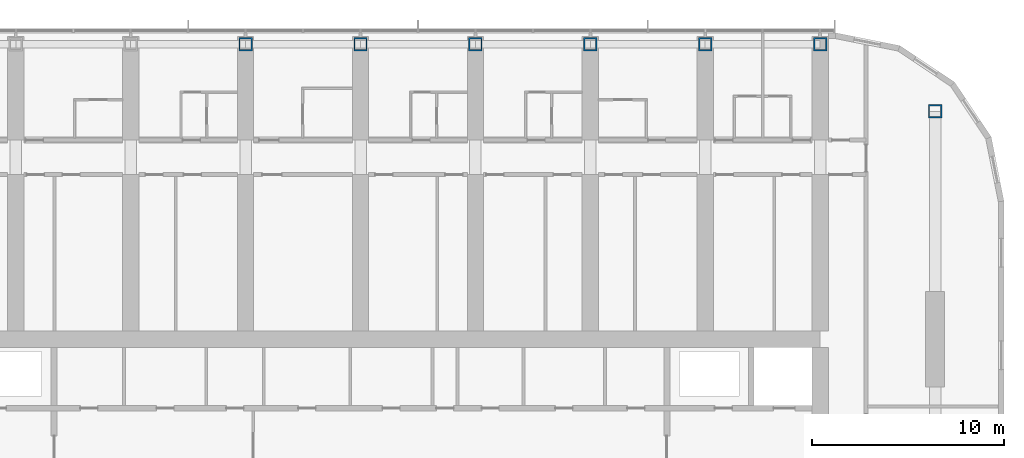
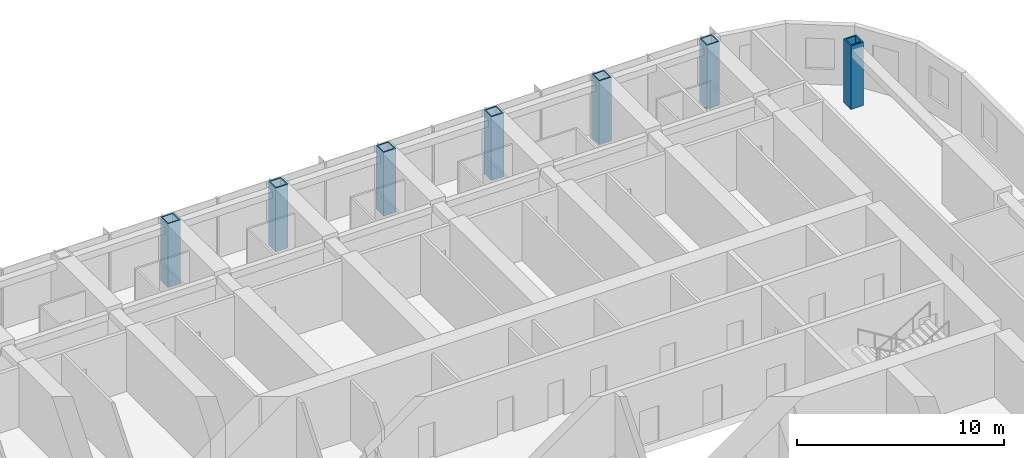
# One storey, part 5 of 29: 7 columns.
"""IFC4 building model written with IfcOpenShell, lengths in metres."""

from ifc_helpers import new_model, si_unit, direction, frame, origin, origin_2d, place, context, subcontext, project, spatial, hollow_rectangle, extrude, material, material_profile, profile_set, type_object, element, save


model = new_model("IFC4")

# Units and contexts
model_context = context("Model", 3, precision=1e-05, world=origin(), true_north=direction((0.0, 1.0)))
body_context = subcontext(model_context, "Body", "Model", "MODEL_VIEW")
ifc_project = project(units=[si_unit("LENGTHUNIT", "METRE"), si_unit("AREAUNIT", "SQUARE_METRE"), si_unit("VOLUMEUNIT", "CUBIC_METRE"), si_unit("PLANEANGLEUNIT", "RADIAN"), si_unit("MASSUNIT", "GRAM", prefix="KILO")], contexts=[model_context])

# Site, building, storey
site_placement = place(None, origin())
site = spatial("IfcSite", under=ifc_project, at=site_placement, CompositionType="ELEMENT")
building_placement = place(site_placement, origin())
building = spatial("IfcBuilding", under=site, at=building_placement, Name="Orbita Commons", CompositionType="ELEMENT")
storey_placement = place(building_placement, frame((0.0, 0.0, 163.60009765625)))
storey = spatial("IfcBuildingStorey", under=building, at=storey_placement, Name="L40", CompositionType="ELEMENT", Elevation=163.60009765625)

# Columns
ifc_material = material(Name="Steel ASTM A572 Gr 50 welded plate", Category="steel")
ifc_material_profile = material_profile(ifc_material, hollow_rectangle(XDim=0.699951171875, YDim=0.699951171875, WallThickness=0.070068359375, at=origin_2d()), Name="BOX 700x700x70")
ifc_profile_set = profile_set([ifc_material_profile], Name="Steel ASTM A572 Gr 50 welded plate")
column_type = type_object("IfcColumnType", Name="Steel column BOX 700x700x70", PredefinedType="COLUMN", material=ifc_profile_set)
for number, where, z_axis, x_axis, name in (
    (1, (36.0, 53.60009765625, 0.0), (0.0, 0.0, 1.0), (1.0, 0.0, 0.0), "Column 7/E L40"),
    (2, (42.0, 53.60009765625, 0.0), (0.0, 0.0, 1.0), (1.0, 0.0, 0.0), "Column 8/E L40"),
    (3, (48.0, 53.60009765625, 0.0), (0.0, 0.0, 1.0), (1.0, 0.0, 0.0), "Column 9/E L40"),
    (4, (54.0, 53.60009765625, 0.0), (0.0, 0.0, 1.0), (1.0, 0.0, 0.0), "Column 10/E L40"),
    (5, (60.0, 53.60009765625, 0.0), (0.0, 0.0, 1.0), (1.0, 0.0, 0.0), "Column 11/E L40"),
    (6, (66.0, 53.60009765625, 0.0), (0.0, 0.0, 1.0), (1.0, 0.0, 0.0), "Column 12/E L40"),
    (7, (72.0, 50.10009765625, 0.0), (0.0, 0.0, 1.0), (1.0, 0.0, 0.0), "Column 13/50.1 L40"),
):
    element("IfcColumn", number, at=place(storey_placement, frame(where, z_axis=z_axis, x_axis=x_axis)), inside=storey, type_object=column_type, Name=name, PredefinedType="COLUMN", context=body_context, shape_type="SweptSolid", body=[
        extrude(hollow_rectangle(XDim=0.699951171875, YDim=0.699951171875, WallThickness=0.070068359375, at=origin_2d()), origin(), (0.0, 0.0, 1.0), 3.75),
    ])

save(model, "model.ifc")
